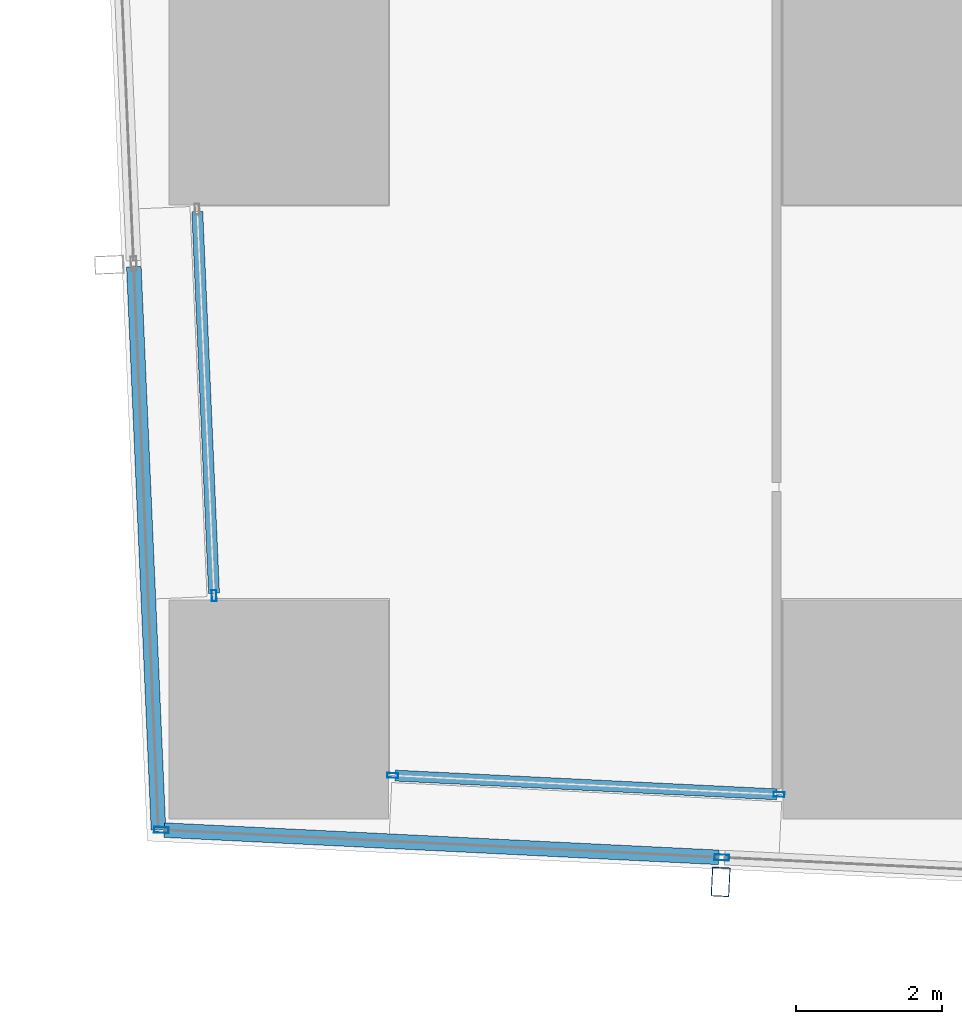
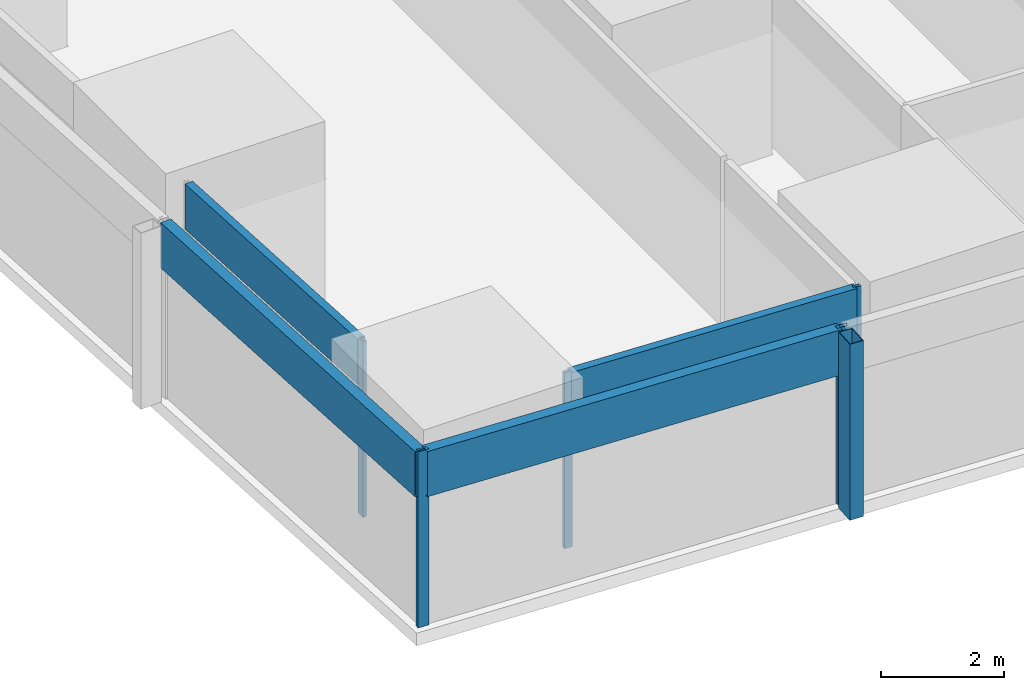
# One storey, part 2 of 45: 10 members, 4 elements without a shape of their own.
"""IFC4 building model written with IfcOpenShell, lengths in metres."""

from ifc_helpers import new_model, si_unit, direction, frame, origin, origin_2d, place, context, subcontext, project, spatial, hollow_rectangle, extrude, material, material_profile, profile_set, type_object, element, aggregate, save


model = new_model("IFC4")

# Units and contexts
model_context = context("Model", 3, precision=1e-05, world=origin(), true_north=direction((0.0, 1.0)))
body_context = subcontext(model_context, "Body", "Model", "MODEL_VIEW")
ifc_project = project(units=[si_unit("LENGTHUNIT", "METRE"), si_unit("AREAUNIT", "SQUARE_METRE"), si_unit("VOLUMEUNIT", "CUBIC_METRE"), si_unit("PLANEANGLEUNIT", "RADIAN"), si_unit("MASSUNIT", "GRAM", prefix="KILO")], contexts=[model_context])

# Site, building, storey
site_placement = place(None, origin())
site = spatial("IfcSite", under=ifc_project, at=site_placement, CompositionType="ELEMENT")
building_placement = place(site_placement, origin())
building = spatial("IfcBuilding", under=site, at=building_placement, Name="Rekha Terrace Tower", CompositionType="ELEMENT")
storey_placement = place(building_placement, frame((0.0, 0.0, 77.89990234375)))
storey = spatial("IfcBuildingStorey", under=building, at=storey_placement, Name="L19", CompositionType="ELEMENT", Elevation=77.89990234375)

# Curtain wall, member
ifc_material_1 = material(Name="Aluminium framing", Category="aluminium")
curtain_wall_type_1 = type_object("IfcCurtainWallType", Name="CW2 double skin outer glazing", PredefinedType="USERDEFINED", material=ifc_material_1)
curtain_wall_1_placement = place(storey_placement, origin())
curtain_wall_1 = element("IfcCurtainWall", 1, at=curtain_wall_1_placement, inside=storey, type_object=curtain_wall_type_1, Name="CW2 double skin outer glazing", ObjectType="DOUBLE SKIN OUTER GLAZING", PredefinedType="USERDEFINED")
ifc_material_2 = material(Name="Steel S355 with fluorocarbon finish", Category="steel")
ifc_material_profile_1 = material_profile(ifc_material_2, hollow_rectangle(XDim=0.25, YDim=0.39990234375, WallThickness=0.012451171875, at=origin_2d()), Name="RHS400x250x12.5")
ifc_profile_set_1 = profile_set([ifc_material_profile_1], Name="Steel S355 with fluorocarbon finish")
member_type_1 = type_object("IfcMemberType", Name="BL1 facade blade RHS 400 x 250", PredefinedType="USERDEFINED", material=ifc_profile_set_1)
member_1_placement = place(storey_placement, frame((14.443603515625, 6.03955078125, 0.0), z_axis=(0.0, 0.0, 1.0), x_axis=(0.998796226835, -0.049051985279, 0.0)))
member_1 = element("IfcMember", 2, at=member_1_placement, type_object=member_type_1, Name="Facade blade", ObjectType="FACADE BLADE", PredefinedType="USERDEFINED", context=body_context, shape_type="SweptSolid", body=[
    extrude(hollow_rectangle(XDim=0.25, YDim=0.39990234375, WallThickness=0.012451171875, at=origin_2d()), origin(), (0.0, 0.0, 1.0), 3.5),
])

# Curtain wall, members
curtain_wall_type_2 = type_object("IfcCurtainWallType", Name="CW1 double skin inner glazing", PredefinedType="USERDEFINED", material=ifc_material_1)
curtain_wall_2_placement = place(storey_placement, origin())
curtain_wall_2 = element("IfcCurtainWall", 3, at=curtain_wall_2_placement, inside=storey, type_object=curtain_wall_type_2, Name="CW1 double skin inner glazing", ObjectType="DOUBLE SKIN INNER GLAZING", PredefinedType="USERDEFINED")
ifc_material_3 = material(Name="Aluminium mullion section", Category="aluminium")
ifc_material_profile_2 = material_profile(ifc_material_3, hollow_rectangle(XDim=0.06494140625, YDim=0.14990234375, WallThickness=0.00390625, at=origin_2d()), Name="AL RHS 65x150")
ifc_profile_set_2 = profile_set([ifc_material_profile_2], Name="Aluminium mullion section")
member_type_2 = type_object("IfcMemberType", Name="CW1 mullion RHS 65 x 150", PredefinedType="MULLION", material=ifc_profile_set_2)
member_2_placement = place(storey_placement, frame((9.95703125, 7.496337890625, 0.0), z_axis=(0.0, 0.0, 1.0), x_axis=(0.049051717746, 0.998796239974, 0.0)))
member_2 = element("IfcMember", 4, at=member_2_placement, type_object=member_type_2, Name="CW1 mullion 1", PredefinedType="MULLION", context=body_context, shape_type="SweptSolid", body=[
    extrude(hollow_rectangle(XDim=0.06494140625, YDim=0.14990234375, WallThickness=0.00390625, at=origin_2d()), origin(), (0.0, 0.0, 1.0), 3.5),
])
member_3_placement = place(storey_placement, frame((15.242919921875, 7.23681640625, 0.0), z_axis=(0.0, 0.0, 1.0), x_axis=(0.049051717746, 0.998796239974, 0.0)))
member_3 = element("IfcMember", 5, at=member_3_placement, type_object=member_type_2, Name="CW1 mullion 2", PredefinedType="MULLION", context=body_context, shape_type="SweptSolid", body=[
    extrude(hollow_rectangle(XDim=0.06494140625, YDim=0.14990234375, WallThickness=0.00390625, at=origin_2d()), origin(), (0.0, 0.0, 1.0), 3.5),
])

# Curtain wall, member
curtain_wall_3_placement = place(storey_placement, origin())
curtain_wall_3 = element("IfcCurtainWall", 6, at=curtain_wall_3_placement, inside=storey, type_object=curtain_wall_type_2, Name="CW1 double skin inner glazing", ObjectType="DOUBLE SKIN INNER GLAZING", PredefinedType="USERDEFINED")
member_4_placement = place(storey_placement, frame((7.51416015625, 9.95654296875, 0.0), z_axis=(0.0, 0.0, 1.0), x_axis=(0.999045462129, 0.043682543407, 0.0)))
member_4 = element("IfcMember", 7, at=member_4_placement, type_object=member_type_2, Name="CW1 mullion 2", PredefinedType="MULLION", context=body_context, shape_type="SweptSolid", body=[
    extrude(hollow_rectangle(XDim=0.06494140625, YDim=0.14990234375, WallThickness=0.00390625, at=origin_2d()), origin(), (0.0, 0.0, 1.0), 3.5),
])

# Member
ifc_material_4 = material(Name="Insulated aluminium spandrel box", Category="aluminium")
ifc_material_profile_3 = material_profile(ifc_material_4, hollow_rectangle(XDim=0.14990234375, YDim=0.89990234375, WallThickness=0.0029296875, at=origin_2d()), Name="AL SPANDREL BOX 150x900")
ifc_profile_set_3 = profile_set([ifc_material_profile_3], Name="Insulated aluminium spandrel box")
member_type_3 = type_object("IfcMemberType", Name="CW1 spandrel transom 150 x 900", PredefinedType="USERDEFINED", material=ifc_profile_set_3)
member_5_placement = place(storey_placement, frame((9.989501953125, 7.494873046875, 3.050048828125), z_axis=(0.998796778139, -0.049040758337, 0.0), x_axis=(0.049040758337, 0.998796778139, 0.0)))
member_5 = element("IfcMember", 8, at=member_5_placement, type_object=member_type_3, Name="CW1 spandrel transom 1", ObjectType="TRANSOM", PredefinedType="USERDEFINED", context=body_context, shape_type="SweptSolid", body=[
    extrude(hollow_rectangle(XDim=0.14990234375, YDim=0.89990234375, WallThickness=0.0029296875, at=origin_2d()), origin(), (0.0, 0.0, 1.0), 5.227294921875),
])

aggregate(curtain_wall_2, [member_2, member_3, member_5])

member_6_placement = place(storey_placement, frame((7.284423828125, 15.2109375, 3.050048828125), z_axis=(0.043718970551, -0.999043868713, 0.0), x_axis=(0.999043868713, 0.043718970551, 0.0)))
member_6 = element("IfcMember", 9, at=member_6_placement, type_object=member_type_3, Name="CW1 spandrel transom 1", ObjectType="TRANSOM", PredefinedType="USERDEFINED", context=body_context, shape_type="SweptSolid", body=[
    extrude(hollow_rectangle(XDim=0.14990234375, YDim=0.89990234375, WallThickness=0.0029296875, at=origin_2d()), origin(), (0.0, 0.0, 1.0), 5.226806640625),
])

aggregate(curtain_wall_3, [member_4, member_6])

ifc_material_profile_4 = material_profile(ifc_material_3, hollow_rectangle(XDim=0.080078125, YDim=0.199951171875, WallThickness=0.00390625, at=origin_2d()), Name="AL RHS 80x200")
ifc_profile_set_4 = profile_set([ifc_material_profile_4], Name="Aluminium mullion section")
member_type_4 = type_object("IfcMemberType", Name="CW2 mullion RHS 80 x 200", PredefinedType="MULLION", material=ifc_profile_set_4)
member_7_placement = place(storey_placement, frame((6.79345703125, 6.750732421875, 0.0), z_axis=(0.0, 0.0, 1.0), x_axis=(0.049051717746, 0.998796239974, 0.0)))
member_7 = element("IfcMember", 10, at=member_7_placement, type_object=member_type_4, Name="CW2 mullion 1", PredefinedType="MULLION", context=body_context, shape_type="SweptSolid", body=[
    extrude(hollow_rectangle(XDim=0.080078125, YDim=0.199951171875, WallThickness=0.00390625, at=origin_2d()), origin(), (0.0, 0.0, 1.0), 3.5),
])

member_8_placement = place(storey_placement, frame((14.4599609375, 6.374267578125, 0.0), z_axis=(0.0, 0.0, 1.0), x_axis=(0.049051717746, 0.998796239974, 0.0)))
member_8 = element("IfcMember", 11, at=member_8_placement, type_object=member_type_4, Name="CW2 mullion 2", PredefinedType="MULLION", context=body_context, shape_type="SweptSolid", body=[
    extrude(hollow_rectangle(XDim=0.080078125, YDim=0.199951171875, WallThickness=0.00390625, at=origin_2d()), origin(), (0.0, 0.0, 1.0), 3.5),
])

ifc_material_profile_5 = material_profile(ifc_material_4, hollow_rectangle(XDim=0.199951171875, YDim=0.89990234375, WallThickness=0.0029296875, at=origin_2d()), Name="AL SPANDREL BOX 200x900")
ifc_profile_set_5 = profile_set([ifc_material_profile_5], Name="Insulated aluminium spandrel box")
member_type_5 = type_object("IfcMemberType", Name="CW2 spandrel transom 200 x 900", PredefinedType="USERDEFINED", material=ifc_profile_set_5)
member_9_placement = place(storey_placement, frame((6.83349609375, 6.748779296875, 3.050048828125), z_axis=(0.99879635036, -0.049049469996, 0.0), x_axis=(0.049049469996, 0.99879635036, 0.0)))
member_9 = element("IfcMember", 12, at=member_9_placement, type_object=member_type_5, Name="CW2 spandrel transom 1", ObjectType="TRANSOM", PredefinedType="USERDEFINED", context=body_context, shape_type="SweptSolid", body=[
    extrude(hollow_rectangle(XDim=0.199951171875, YDim=0.89990234375, WallThickness=0.0029296875, at=origin_2d()), origin(), (0.0, 0.0, 1.0), 7.595458984375),
])

aggregate(curtain_wall_1, [member_7, member_8, member_9, member_1])

# Curtain wall, member
curtain_wall_4_placement = place(storey_placement, origin())
curtain_wall_4 = element("IfcCurtainWall", 13, at=curtain_wall_4_placement, inside=storey, type_object=curtain_wall_type_1, Name="CW2 double skin outer glazing", ObjectType="DOUBLE SKIN OUTER GLAZING", PredefinedType="USERDEFINED")
member_10_placement = place(storey_placement, frame((6.41650390625, 14.45703125, 3.050048828125), z_axis=(0.043688638652, -0.999045195601, 0.0), x_axis=(0.999045195601, 0.043688638652, 0.0)))
member_10 = element("IfcMember", 14, at=member_10_placement, type_object=member_type_5, Name="CW2 spandrel transom 5", ObjectType="TRANSOM", PredefinedType="USERDEFINED", context=body_context, shape_type="SweptSolid", body=[
    extrude(hollow_rectangle(XDim=0.199951171875, YDim=0.89990234375, WallThickness=0.0029296875, at=origin_2d()), origin(), (0.0, 0.0, 1.0), 7.711669921875),
])
aggregate(curtain_wall_4, [member_10])

save(model, "model.ifc")
